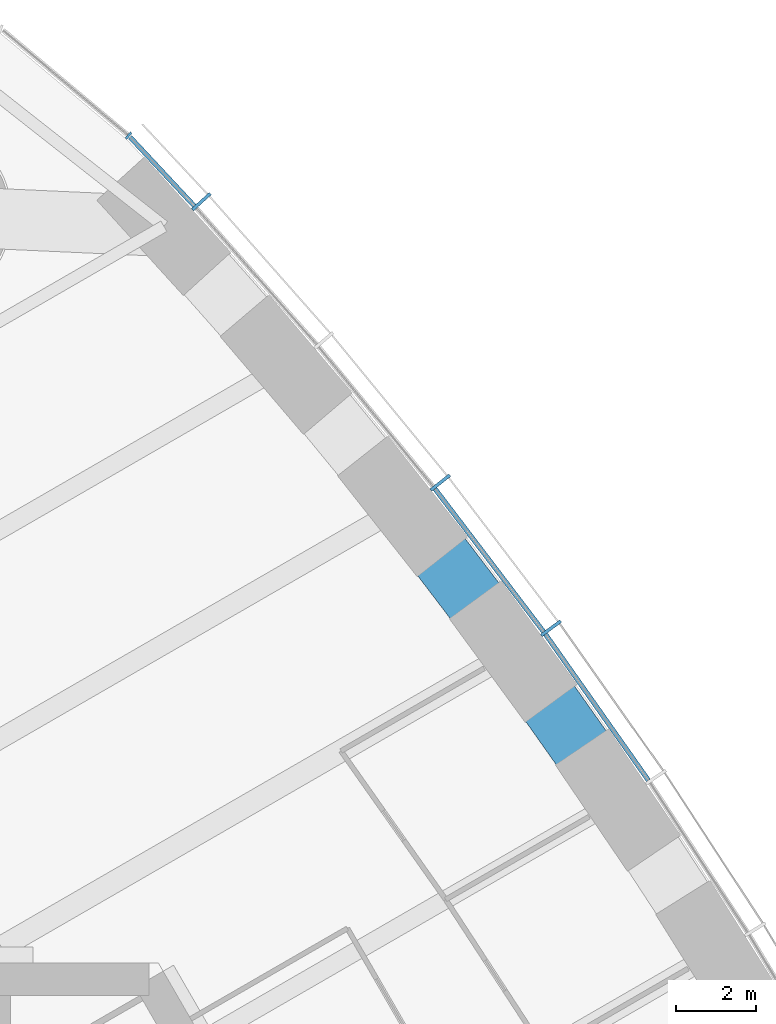
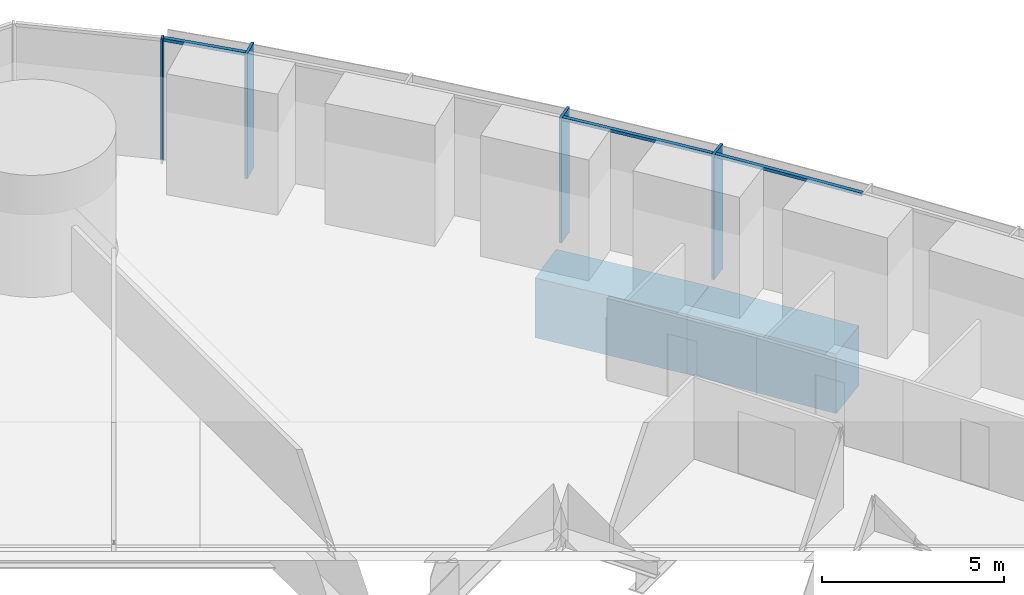
# One storey, part 6 of 20: 7 members, 2 beams, 2 elements without a shape of their own.
"""IFC4 building model written with IfcOpenShell, lengths in metres."""

from ifc_helpers import new_model, si_unit, direction, frame, origin, origin_2d, place, context, subcontext, project, spatial, rectangle, extrude, material, material_profile, profile_set, type_object, element, aggregate, save


model = new_model("IFC4")

# Units and contexts
model_context = context("Model", 3, precision=1e-05, world=origin(), true_north=direction((0.0, 1.0)))
body_context = subcontext(model_context, "Body", "Model", "MODEL_VIEW")
ifc_project = project(units=[si_unit("LENGTHUNIT", "METRE"), si_unit("AREAUNIT", "SQUARE_METRE"), si_unit("VOLUMEUNIT", "CUBIC_METRE"), si_unit("PLANEANGLEUNIT", "RADIAN"), si_unit("MASSUNIT", "GRAM", prefix="KILO")], contexts=[model_context])

# Site, building, storey
site_placement = place(None, origin())
site = spatial("IfcSite", under=ifc_project, at=site_placement, CompositionType="ELEMENT")
building_placement = place(site_placement, origin())
building = spatial("IfcBuilding", under=site, at=building_placement, Name="Trefoil Bronze Tower", CompositionType="ELEMENT")
storey_placement = place(building_placement, frame((0.0, 0.0, 103.10009765625)))
storey = spatial("IfcBuildingStorey", under=building, at=storey_placement, Name="L23", CompositionType="ELEMENT", Elevation=103.10009765625)

# Curtain wall, members
ifc_material_1 = material(Name="Tinted solar-control glass", Category="glass")
curtain_wall_type_1 = type_object("IfcCurtainWallType", Name="Bronze office curtain wall", PredefinedType="USERDEFINED", material=ifc_material_1)
curtain_wall_1_placement = place(storey_placement, origin())
curtain_wall_1 = element("IfcCurtainWall", 1, at=curtain_wall_1_placement, inside=storey, type_object=curtain_wall_type_1, Name="CW-A L23 F2", ObjectType="CURTAIN WALL", PredefinedType="USERDEFINED")
ifc_material_2 = material(Name="Bronze-finish aluminium", Category="aluminium")
ifc_material_profile_1 = material_profile(ifc_material_2, rectangle(XDim=0.60009765625, YDim=0.080078125, at=origin_2d()), Name="CW-A mullion")
ifc_profile_set_1 = profile_set([ifc_material_profile_1], Name="Bronze-finish aluminium")
member_type_1 = type_object("IfcMemberType", Name="Bronze office curtain wall mullion", PredefinedType="MULLION", material=ifc_profile_set_1)
member_1_placement = place(storey_placement, frame((15.764404296875, 24.7275390625, 0.0), z_axis=(0.0, 0.0, 1.0), x_axis=(-0.806874522901, -0.590722865897, 0.0)))
member_1 = element("IfcMember", 2, at=member_1_placement, type_object=member_type_1, Name="CW-A L23 F2 mullion 11", PredefinedType="MULLION", context=body_context, shape_type="SweptSolid", body=[
    extrude(rectangle(XDim=0.60009765625, YDim=0.080078125, at=origin_2d()), origin(), (0.0, 0.0, 1.0), 4.179931640625),
])
member_2_placement = place(storey_placement, frame((13.01220703125, 28.34716796875, 0.0), z_axis=(0.0, 0.0, 1.0), x_axis=(-0.78487913905, -0.619648882098, 0.0)))
member_2 = element("IfcMember", 3, at=member_2_placement, type_object=member_type_1, Name="CW-A L23 F2 mullion 12", PredefinedType="MULLION", context=body_context, shape_type="SweptSolid", body=[
    extrude(rectangle(XDim=0.60009765625, YDim=0.080078125, at=origin_2d()), origin(), (0.0, 0.0, 1.0), 4.179931640625),
])
member_3_placement = place(storey_placement, frame((7.070068359375, 35.332275390625, 0.0), z_axis=(0.0, 0.0, 1.0), x_axis=(-0.740360700327, -0.672209813534, 0.0)))
member_3 = element("IfcMember", 4, at=member_3_placement, type_object=member_type_1, Name="CW-A L23 F2 mullion 14", PredefinedType="MULLION", context=body_context, shape_type="SweptSolid", body=[
    extrude(rectangle(XDim=0.60009765625, YDim=0.080078125, at=origin_2d()), origin(), (0.0, 0.0, 1.0), 4.179931640625),
])
ifc_material_3 = material(Name="Bronze-finish aluminium", Category="aluminium")
ifc_material_profile_2 = material_profile(ifc_material_3, rectangle(XDim=0.1201171875, YDim=0.10009765625, at=origin_2d()), Name="CW-A transom")
ifc_profile_set_2 = profile_set([ifc_material_profile_2], Name="Bronze-finish aluminium")
member_type_2 = type_object("IfcMemberType", Name="Bronze office curtain wall transom", PredefinedType="USERDEFINED", material=ifc_profile_set_2)
member_4_placement = place(storey_placement, frame((18.18359375, 20.947021484375, 4.1298828125), z_axis=(-0.576017858824, 0.817437108478, 0.0), x_axis=(-0.817437108478, -0.576017858824, 0.0)))
member_4 = element("IfcMember", 5, at=member_4_placement, type_object=member_type_2, Name="CW-A L23 F2 transom 10", ObjectType="TRANSOM", PredefinedType="USERDEFINED", context=body_context, shape_type="SweptSolid", body=[
    extrude(rectangle(XDim=0.1201171875, YDim=0.10009765625, at=origin_2d()), origin(), (0.0, 0.0, 1.0), 4.4384765625),
])
member_5_placement = place(storey_placement, frame((15.57763671875, 24.642578125, 4.1298828125), z_axis=(-0.605229114572, 0.796051329296, 0.0), x_axis=(-0.796051329296, -0.605229114572, 0.0)))
member_5 = element("IfcMember", 6, at=member_5_placement, type_object=member_type_2, Name="CW-A L23 F2 transom 11", ObjectType="TRANSOM", PredefinedType="USERDEFINED", context=body_context, shape_type="SweptSolid", body=[
    extrude(rectangle(XDim=0.1201171875, YDim=0.10009765625, at=origin_2d()), origin(), (0.0, 0.0, 1.0), 4.456298828125),
])
member_6_placement = place(storey_placement, frame((6.893798828125, 35.22802734375, 4.1298828125), z_axis=(-0.682489214428, 0.730895664366, 0.0), x_axis=(-0.730895664366, -0.682489214428, 0.0)))
member_6 = element("IfcMember", 7, at=member_6_placement, type_object=member_type_2, Name="CW-A L23 F2 transom 14", ObjectType="TRANSOM", PredefinedType="USERDEFINED", context=body_context, shape_type="SweptSolid", body=[
    extrude(rectangle(XDim=0.1201171875, YDim=0.10009765625, at=origin_2d()), origin(), (0.0, 0.0, 1.0), 2.340087890625),
])
aggregate(curtain_wall_1, [member_1, member_2, member_3, member_4, member_5, member_6])

# Curtain wall, member
ifc_material_4 = material(Name="Tinted solar-control glass", Category="glass")
curtain_wall_type_2 = type_object("IfcCurtainWallType", Name="Bronze rounded corner curtain wall", PredefinedType="USERDEFINED", material=ifc_material_4)
curtain_wall_2_placement = place(storey_placement, origin())
curtain_wall_2 = element("IfcCurtainWall", 8, at=curtain_wall_2_placement, inside=storey, type_object=curtain_wall_type_2, Name="CW-B L23 K2", ObjectType="CURTAIN WALL", PredefinedType="USERDEFINED")
ifc_material_5 = material(Name="Bronze-finish aluminium", Category="aluminium")
ifc_material_profile_3 = material_profile(ifc_material_5, rectangle(XDim=0.199951171875, YDim=0.06005859375, at=origin_2d()), Name="CW-B mullion")
ifc_profile_set_3 = profile_set([ifc_material_profile_3], Name="Bronze-finish aluminium")
member_type_3 = type_object("IfcMemberType", Name="Bronze rounded corner curtain wall mullion", PredefinedType="MULLION", material=ifc_profile_set_3)
member_7_placement = place(storey_placement, frame((5.260498046875, 36.975830078125, 0.0), z_axis=(0.0, 0.0, 1.0), x_axis=(-0.642787609687, -0.766044443119, 0.0)))
member_7 = element("IfcMember", 9, at=member_7_placement, type_object=member_type_3, Name="CW-B L23 K2 mullion 1", PredefinedType="MULLION", context=body_context, shape_type="SweptSolid", body=[
    extrude(rectangle(XDim=0.199951171875, YDim=0.06005859375, at=origin_2d()), origin(), (0.0, 0.0, 1.0), 4.179931640625),
])
aggregate(curtain_wall_2, [member_7])

# Beams
ifc_material_6 = material(Name="Concrete B80", Category="concrete")
ifc_material_profile_4 = material_profile(ifc_material_6, rectangle(XDim=1.5, YDim=2.0, at=origin_2d()), Name="RC 1500x2000")
ifc_profile_set_4 = profile_set([ifc_material_profile_4], Name="Concrete B80")
beam_type = type_object("IfcBeamType", Name="Spandrel beam RC 1500x2000", PredefinedType="SPANDREL", material=ifc_profile_set_4)
beam_1_placement = place(storey_placement, frame((17.43017578125, 20.45556640625, -1.2001953125), z_axis=(-0.576439228712, 0.81714002203, 0.0), x_axis=(-0.81714002203, -0.576439228712, 0.0)))
element("IfcBeam", 10, at=beam_1_placement, inside=storey, type_object=beam_type, Name="Spandrel F2.10 L23", PredefinedType="SPANDREL", context=body_context, shape_type="SweptSolid", body=[
    extrude(rectangle(XDim=1.5, YDim=2.0, at=origin_2d()), origin(), (0.0, 0.0, 1.0), 4.5185546875),
])
beam_2_placement = place(storey_placement, frame((14.825439453125, 24.14794921875, -1.2001953125), z_axis=(-0.605898901788, 0.795541652468, 0.0), x_axis=(-0.795541652468, -0.605898901788, 0.0)))
element("IfcBeam", 11, at=beam_2_placement, inside=storey, type_object=beam_type, Name="Spandrel F2.11 L23", PredefinedType="SPANDREL", context=body_context, shape_type="SweptSolid", body=[
    extrude(rectangle(XDim=1.5, YDim=2.0, at=origin_2d()), origin(), (0.0, 0.0, 1.0), 4.53662109375),
])

save(model, "model.ifc")
